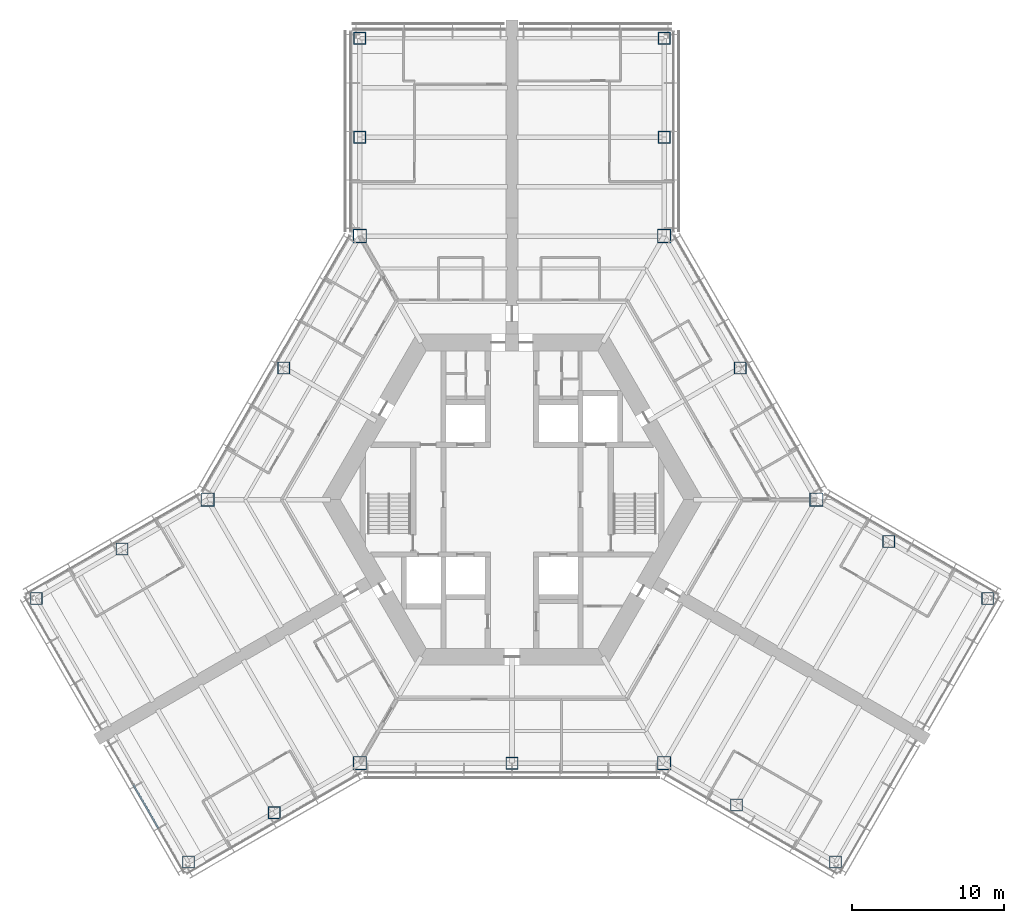
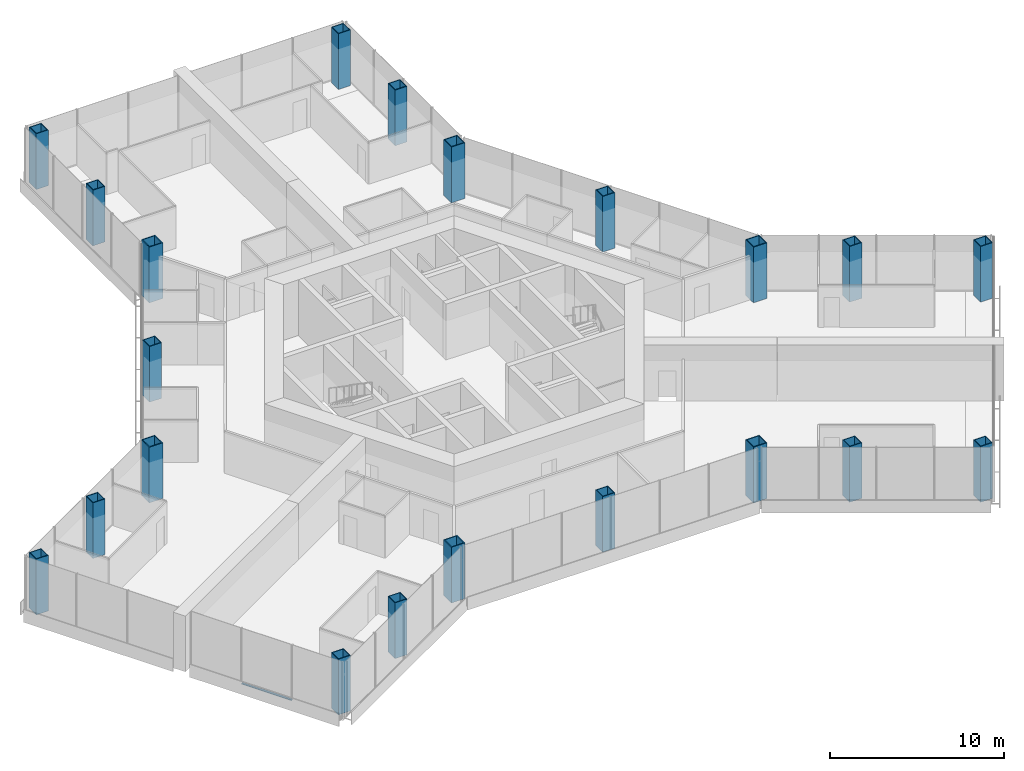
# One storey, part 1 of 18: 21 columns, 1 member, 1 element without a shape of its own.
"""IFC4 building model written with IfcOpenShell, lengths in metres."""

from ifc_helpers import new_model, si_unit, direction, frame, origin, origin_2d, place, context, subcontext, project, spatial, rectangle, hollow_rectangle, extrude, material, material_profile, profile_set, type_object, element, aggregate, save


model = new_model("IFC4")

# Units and contexts
model_context = context("Model", 3, precision=1e-05, world=origin(), true_north=direction((0.0, 1.0)))
body_context = subcontext(model_context, "Body", "Model", "MODEL_VIEW")
ifc_project = project(units=[si_unit("LENGTHUNIT", "METRE"), si_unit("AREAUNIT", "SQUARE_METRE"), si_unit("VOLUMEUNIT", "CUBIC_METRE"), si_unit("PLANEANGLEUNIT", "RADIAN"), si_unit("MASSUNIT", "GRAM", prefix="KILO")], contexts=[model_context])

# Site, building, storey
site_placement = place(None, origin())
site = spatial("IfcSite", under=ifc_project, at=site_placement, CompositionType="ELEMENT")
building_placement = place(site_placement, origin())
building = spatial("IfcBuilding", under=site, at=building_placement, Name="Kasaneha Research Tower", CompositionType="ELEMENT")
storey_placement = place(building_placement, frame((0.0, 0.0, 69.0)))
storey = spatial("IfcBuildingStorey", under=building, at=storey_placement, Name="L17", CompositionType="ELEMENT", Elevation=69.0)

# Columns
ifc_material_1 = material(Name="Steel SN490C", Category="steel")
ifc_material_profile_1 = material_profile(ifc_material_1, hollow_rectangle(XDim=0.89990234375, YDim=0.89990234375, WallThickness=0.054931640625, at=origin_2d()), Name="BOX-900x900x55")
ifc_profile_set_1 = profile_set([ifc_material_profile_1], Name="Steel SN490C")
column_type_1 = type_object("IfcColumnType", Name="C2A column BOX-900x900x55", PredefinedType="COLUMN", material=ifc_profile_set_1)
for number, where, z_axis, x_axis, name in (
    (1, (20.0, 0.0, 0.0), (0.0, 0.0, 1.0), (1.0, 0.0, 0.0), "Column V0 L17"),
    (2, (10.0, 17.320556640625, 0.0), (0.0, 0.0, 1.0), (1.0, 0.0, 0.0), "Column V1 L17"),
    (3, (-10.0, 17.320556640625, 0.0), (0.0, 0.0, 1.0), (1.0, 0.0, 0.0), "Column V2 L17"),
    (4, (-20.0, 0.0, 0.0), (0.0, 0.0, 1.0), (1.0, 0.0, 0.0), "Column V3 L17"),
    (5, (-10.0, -17.320556640625, 0.0), (0.0, 0.0, 1.0), (1.0, 0.0, 0.0), "Column V4 L17"),
    (6, (10.0, -17.320556640625, 0.0), (0.0, 0.0, 1.0), (1.0, 0.0, 0.0), "Column V5 L17"),
):
    element("IfcColumn", number, at=place(storey_placement, frame(where, z_axis=z_axis, x_axis=x_axis)), inside=storey, type_object=column_type_1, Name=name, PredefinedType="COLUMN", context=body_context, shape_type="SweptSolid", body=[
        extrude(hollow_rectangle(XDim=0.89990234375, YDim=0.89990234375, WallThickness=0.054931640625, at=origin_2d()), origin(), (0.0, 0.0, 1.0), 3.89990234375),
    ])
ifc_material_2 = material(Name="Steel SN490C", Category="steel")
ifc_material_profile_2 = material_profile(ifc_material_2, hollow_rectangle(XDim=0.800048828125, YDim=0.800048828125, WallThickness=0.044921875, at=origin_2d()), Name="BOX-800x800x45")
ifc_profile_set_2 = profile_set([ifc_material_profile_2], Name="Steel SN490C")
column_type_2 = type_object("IfcColumnType", Name="C2B column BOX-800x800x45", PredefinedType="COLUMN", material=ifc_profile_set_2)
for number, where, z_axis, x_axis, name in (
    (7, (15.0, 8.66015625, 0.0), (0.0, 0.0, 1.0), (1.0, 0.0, 0.0), "Column M030 L17"),
    (8, (-15.0, 8.66015625, 0.0), (0.0, 0.0, 1.0), (1.0, 0.0, 0.0), "Column M150 L17"),
    (9, (0.0, -17.320556640625, 0.0), (0.0, 0.0, 1.0), (1.0, 0.0, 0.0), "Column M270 L17"),
    (10, (10.0, 23.820556640625, 0.0), (0.0, 0.0, 1.0), (1.0, 0.0, 0.0), "Column ASP L17"),
    (11, (10.0, 30.320556640625, 0.0), (0.0, 0.0, 1.0), (1.0, 0.0, 0.0), "Column ATP L17"),
    (12, (-10.0, 23.820556640625, 0.0), (0.0, 0.0, 1.0), (1.0, 0.0, 0.0), "Column ASN L17"),
    (13, (-10.0, 30.320556640625, 0.0), (0.0, 0.0, 1.0), (1.0, 0.0, 0.0), "Column ATN L17"),
    (14, (-25.629150390625, -3.25, 0.0), (0.0, 0.0, 1.0), (1.0, 0.0, 0.0), "Column BSP L17"),
    (15, (-31.25830078125, -6.5, 0.0), (0.0, 0.0, 1.0), (1.0, 0.0, 0.0), "Column BTP L17"),
    (16, (-15.629150390625, -20.570556640625, 0.0), (0.0, 0.0, 1.0), (1.0, 0.0, 0.0), "Column BSN L17"),
    (17, (-21.25830078125, -23.820556640625, 0.0), (0.0, 0.0, 1.0), (1.0, 0.0, 0.0), "Column BTN L17"),
    (18, (14.76318359375, -20.070556640625, 0.0), (0.0, 0.0, 1.0), (1.0, 0.0, 0.0), "Column CSP L17"),
    (19, (21.25830078125, -23.820556640625, 0.0), (0.0, 0.0, 1.0), (1.0, 0.0, 0.0), "Column CTP L17"),
    (20, (24.76318359375, -2.75, 0.0), (0.0, 0.0, 1.0), (1.0, 0.0, 0.0), "Column CSN L17"),
    (21, (31.25830078125, -6.5, 0.0), (0.0, 0.0, 1.0), (1.0, 0.0, 0.0), "Column CTN L17"),
):
    element("IfcColumn", number, at=place(storey_placement, frame(where, z_axis=z_axis, x_axis=x_axis)), inside=storey, type_object=column_type_2, Name=name, PredefinedType="COLUMN", context=body_context, shape_type="SweptSolid", body=[
        extrude(hollow_rectangle(XDim=0.800048828125, YDim=0.800048828125, WallThickness=0.044921875, at=origin_2d()), origin(), (0.0, 0.0, 1.0), 3.89990234375),
    ])

# Curtain wall, member
ifc_material_3 = material(Name="Glass and aluminium", Category="aluminium")
curtain_wall_type = type_object("IfcCurtainWallType", Name="Low-rise office curtain wall", PredefinedType="USERDEFINED", material=ifc_material_3)
curtain_wall_placement = place(storey_placement, origin())
curtain_wall = element("IfcCurtainWall", 22, at=curtain_wall_placement, inside=storey, type_object=curtain_wall_type, Name="CW-O1 L17 run 15a", ObjectType="UNITISED CURTAIN WALL", PredefinedType="USERDEFINED")
ifc_material_4 = material(Name="Aluminium 6063-T6", Category="aluminium")
ifc_material_profile_3 = material_profile(ifc_material_4, rectangle(XDim=0.1201171875, YDim=0.06005859375, at=origin_2d()), Name="CW-O1 transom 120x60")
ifc_profile_set_3 = profile_set([ifc_material_profile_3], Name="Aluminium 6063-T6")
member_type = type_object("IfcMemberType", Name="CW-O1 transom", PredefinedType="USERDEFINED", material=ifc_profile_set_3)
member_placement = place(storey_placement, frame((-24.879638671875, -18.748291015625, 0.030029296875), z_axis=(0.500014325468, -0.866017132814, 0.0), x_axis=(0.866017132814, 0.500014325468, 0.0)))
member = element("IfcMember", 23, at=member_placement, type_object=member_type, Name="CW-O1 transom 2", ObjectType="TRANSOM", PredefinedType="USERDEFINED", context=body_context, shape_type="SweptSolid", body=[
    extrude(rectangle(XDim=0.1201171875, YDim=0.06005859375, at=origin_2d()), origin(), (0.0, 0.0, 1.0), 3.306640625),
])
aggregate(curtain_wall, [member])

save(model, "model.ifc")
